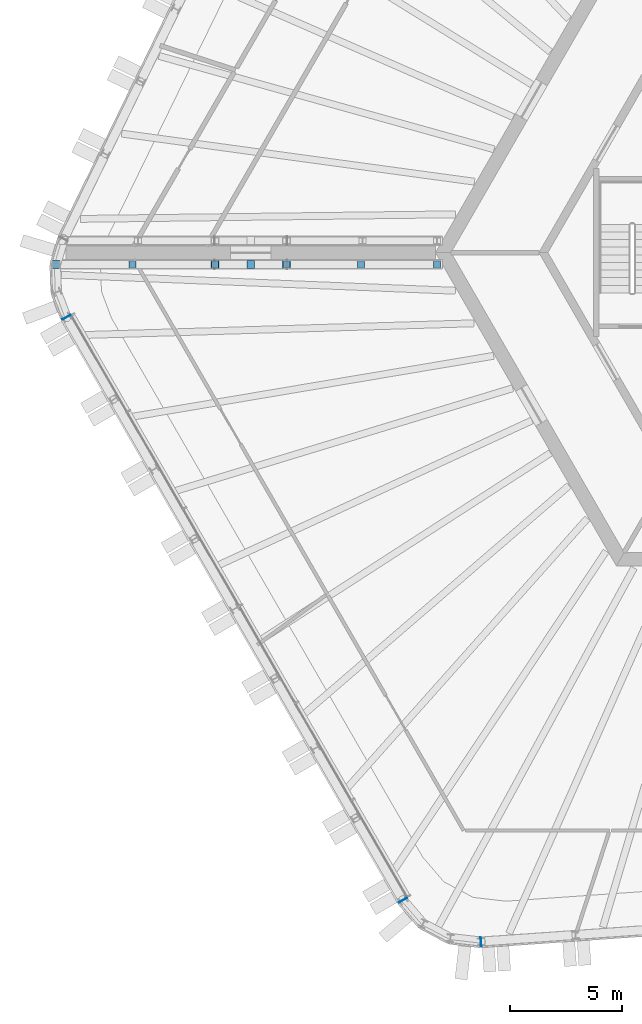
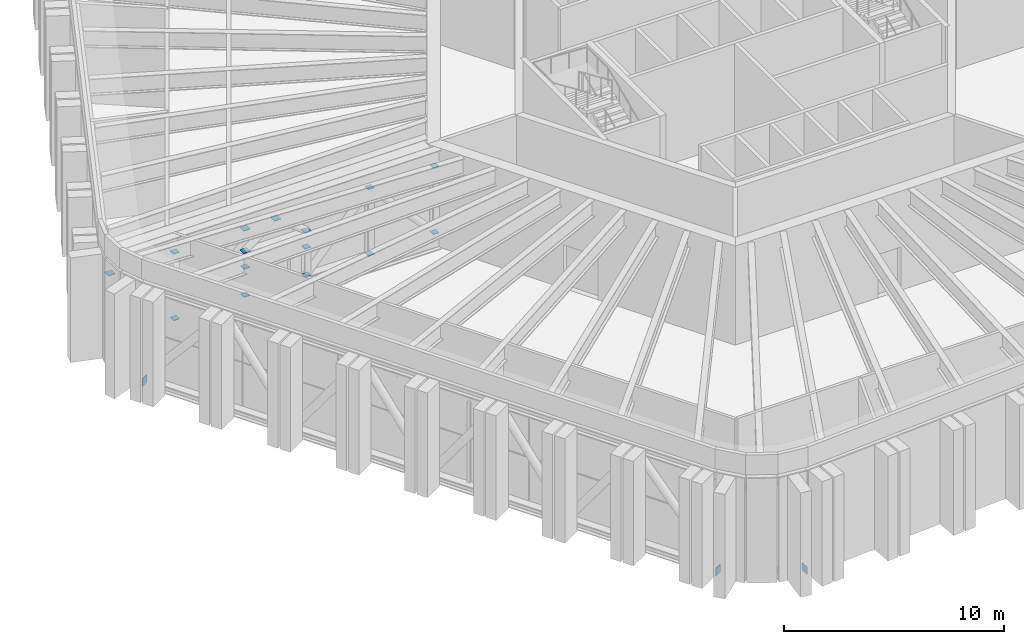
# One storey, part 21 of 27: 18 discrete accessories.
"""IFC4 building model written with IfcOpenShell, lengths in metres."""

from ifc_helpers import new_model, si_unit, direction, frame, origin, origin_2d, place, context, subcontext, project, spatial, rectangle, extrude, material, type_object, element, save


model = new_model("IFC4")

# Units and contexts
model_context = context("Model", 3, precision=1e-05, world=origin(), true_north=direction((0.0, 1.0)))
body_context = subcontext(model_context, "Body", "Model", "MODEL_VIEW")
ifc_project = project(units=[si_unit("LENGTHUNIT", "METRE"), si_unit("AREAUNIT", "SQUARE_METRE"), si_unit("VOLUMEUNIT", "CUBIC_METRE"), si_unit("PLANEANGLEUNIT", "RADIAN"), si_unit("MASSUNIT", "GRAM", prefix="KILO")], contexts=[model_context])

# Site, building, storey
site_placement = place(None, origin())
site = spatial("IfcSite", under=ifc_project, at=site_placement, CompositionType="ELEMENT")
building_placement = place(site_placement, origin())
building = spatial("IfcBuilding", under=site, at=building_placement, Name="Tarnside Tower", CompositionType="ELEMENT")
storey_placement = place(building_placement, frame((0.0, 0.0, 146.699951171875)))
storey = spatial("IfcBuildingStorey", under=building, at=storey_placement, Name="L34", CompositionType="ELEMENT", Elevation=146.699951171875)

# Discrete accessories
ifc_material = material(Name="Steel S355", Category="steel")
discrete_accessory_type_1 = type_object("IfcDiscreteAccessoryType", Name="Cast-in plate L34 belt truss chord end", PredefinedType="USERDEFINED", material=ifc_material)
for number, where, z_axis, x_axis, name in (
    (1, (-32.65478515625, -2.89013671875, -0.2998046875), (0.0, 0.0, 1.0), (0.5, -0.866025403784, 0.0), "Cast-in plate run L34 A"),
    (2, (-17.619384765625, -28.9326171875, -0.2998046875), (0.0, 0.0, 1.0), (0.5, -0.866025403784, 0.0), "Cast-in plate run L34 B"),
    (3, (-14.133544921875, -30.785888671875, -0.2998046875), (0.0, 0.0, 1.0), (0.99756405026, 0.069756473744, 0.0), "Cast-in plate run L34 A"),
):
    element("IfcDiscreteAccessory", number, at=place(storey_placement, frame(where, z_axis=z_axis, x_axis=x_axis)), inside=storey, type_object=discrete_accessory_type_1, Name=name, ObjectType="Cast-in plate", PredefinedType="USERDEFINED", context=body_context, shape_type="SweptSolid", body=[
        extrude(rectangle(XDim=0.030029296875, YDim=0.406982421875, at=origin_2d()), origin(), (0.0, 0.0, 1.0), 0.4189453125),
    ])
discrete_accessory_type_2 = type_object("IfcDiscreteAccessoryType", Name="Gusset plate L34 outrigger end 314", PredefinedType="USERDEFINED", material=ifc_material)
for number, where, z_axis, x_axis, name in (
    (4, (-16.08984375, -0.5302734375, 0.89111328125), (0.0, 0.0, 1.0), (1.0, 0.0, 0.0), "Gusset plate 37 L34"),
    (5, (-16.08984375, -0.5302734375, 4.5791015625), (0.0, 0.0, 1.0), (1.0, 0.0, 0.0), "Gusset plate 38 L34"),
    (6, (-19.495361328125, -0.5302734375, 0.89111328125), (0.0, 0.0, 1.0), (1.0, 0.0, 0.0), "Gusset plate 39 L34"),
    (7, (-19.495361328125, -0.5302734375, 4.5791015625), (0.0, 0.0, 1.0), (1.0, 0.0, 0.0), "Gusset plate 40 L34"),
    (8, (-22.8193359375, -0.5302734375, 0.89111328125), (0.0, 0.0, 1.0), (1.0, 0.0, 0.0), "Gusset plate 41 L34"),
    (9, (-22.8193359375, -0.5302734375, 2.4501953125), (0.0, 0.0, 1.0), (1.0, 0.0, 0.0), "Gusset plate 42 L34"),
    (10, (-26.021484375, -0.5302734375, 0.89111328125), (0.0, 0.0, 1.0), (1.0, 0.0, 0.0), "Gusset plate 43 L34"),
    (11, (-26.021484375, -0.5302734375, 2.4501953125), (0.0, 0.0, 1.0), (1.0, 0.0, 0.0), "Gusset plate 44 L34"),
    (12, (-29.71142578125, -0.5302734375, 0.89111328125), (0.0, 0.0, 1.0), (1.0, 0.0, 0.0), "Gusset plate 45 L34"),
    (13, (-29.71142578125, -0.5302734375, 4.5791015625), (0.0, 0.0, 1.0), (1.0, 0.0, 0.0), "Gusset plate 46 L34"),
):
    element("IfcDiscreteAccessory", number, at=place(storey_placement, frame(where, z_axis=z_axis, x_axis=x_axis)), inside=storey, type_object=discrete_accessory_type_2, Name=name, ObjectType="Gusset plate", PredefinedType="USERDEFINED", context=body_context, shape_type="SweptSolid", body=[
        extrude(rectangle(XDim=0.314453125, YDim=0.314453125, at=origin_2d()), origin(), (0.0, 0.0, 1.0), 0.030029296875),
    ])
discrete_accessory_type_3 = type_object("IfcDiscreteAccessoryType", Name="Gusset plate L34 outrigger end 356", PredefinedType="USERDEFINED", material=ifc_material)
for number, where, z_axis, x_axis, name in (
    (14, (-22.8193359375, -0.5302734375, 3.3408203125), (0.0, 0.0, 1.0), (1.0, 0.0, 0.0), "Gusset plate 47 L34"),
    (15, (-24.42041015625, -0.5302734375, 4.5791015625), (0.0, 0.0, 1.0), (1.0, 0.0, 0.0), "Gusset plate 48 L34"),
    (16, (-26.021484375, -0.5302734375, 3.3408203125), (0.0, 0.0, 1.0), (1.0, 0.0, 0.0), "Gusset plate 49 L34"),
    (17, (-26.021484375, -0.5302734375, 4.5791015625), (0.0, 0.0, 1.0), (1.0, 0.0, 0.0), "Gusset plate 50 L34"),
    (18, (-33.11669921875, -0.5302734375, 4.5791015625), (0.0, 0.0, 1.0), (1.0, 0.0, 0.0), "Gusset plate 51 L34"),
):
    element("IfcDiscreteAccessory", number, at=place(storey_placement, frame(where, z_axis=z_axis, x_axis=x_axis)), inside=storey, type_object=discrete_accessory_type_3, Name=name, ObjectType="Gusset plate", PredefinedType="USERDEFINED", context=body_context, shape_type="SweptSolid", body=[
        extrude(rectangle(XDim=0.355712890625, YDim=0.355712890625, at=origin_2d()), origin(), (0.0, 0.0, 1.0), 0.030029296875),
    ])

save(model, "model.ifc")
